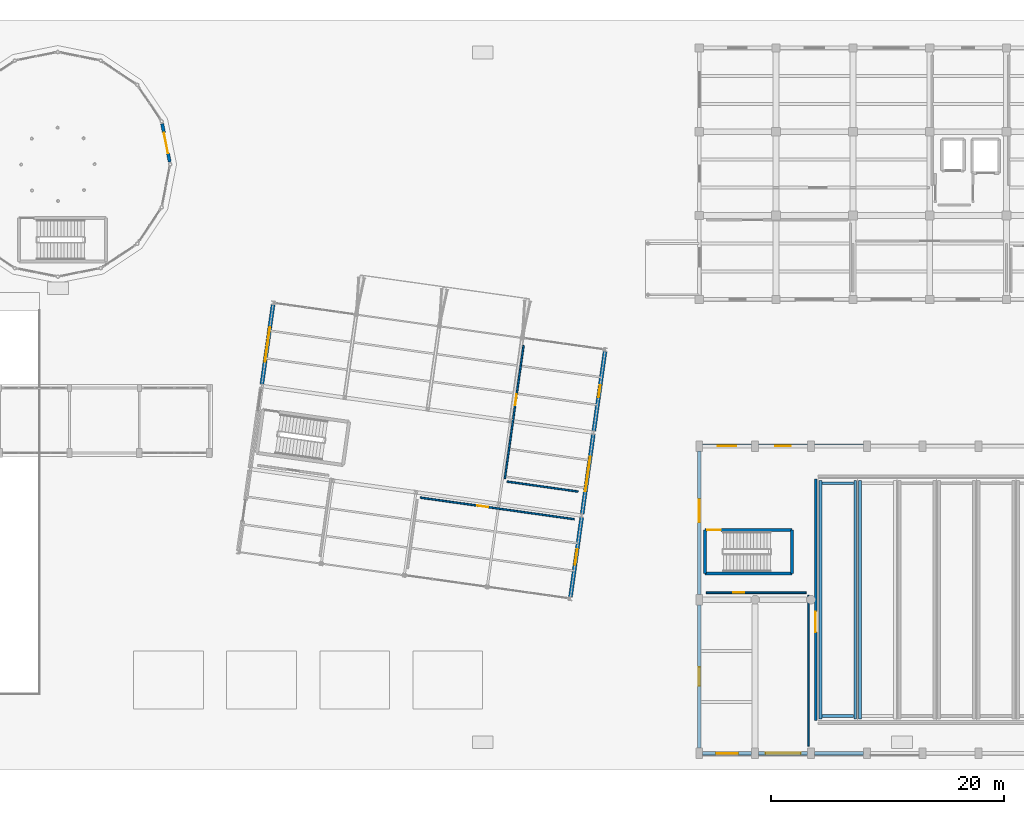
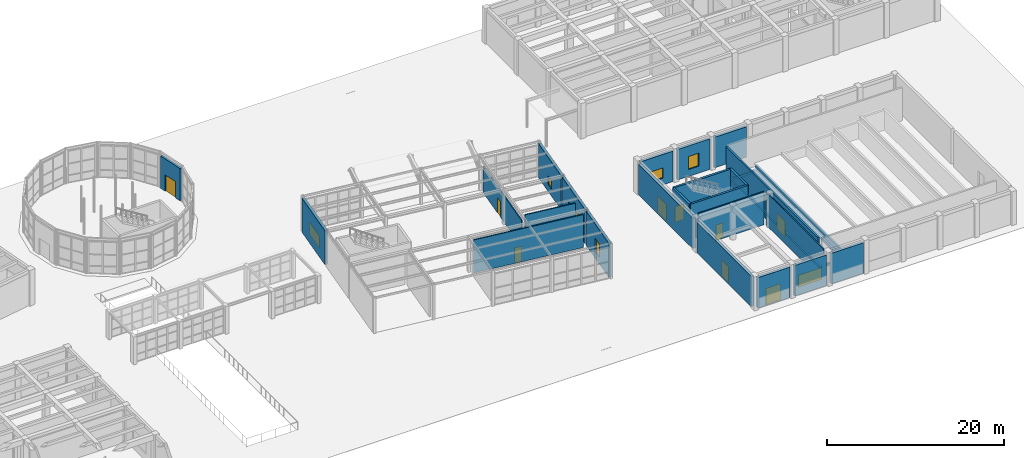
# One storey, part 46 of 57: 28 walls, 9 doors, 7 windows, 16 openings.
"""IFC4 building model written with IfcOpenShell, lengths in metres."""

from ifc_helpers import new_model, si_unit, direction, frame, frame_2d, origin, place, context, subcontext, project, spatial, rectangle, extrude, material, layer, layer_set, type_object, element, fill, save


model = new_model("IFC4")

# Units and contexts
model_context = context("Model", 3, precision=1e-05, world=origin(), true_north=direction((0.0, 1.0)))
body_context = subcontext(model_context, "Body", "Model", "MODEL_VIEW")
ifc_project = project(units=[si_unit("LENGTHUNIT", "METRE"), si_unit("AREAUNIT", "SQUARE_METRE"), si_unit("VOLUMEUNIT", "CUBIC_METRE"), si_unit("PLANEANGLEUNIT", "RADIAN"), si_unit("MASSUNIT", "GRAM", prefix="KILO")], contexts=[model_context])

# Site, building, storey
site_placement = place(None, origin())
site = spatial("IfcSite", under=ifc_project, at=site_placement, CompositionType="ELEMENT")
building_placement = place(site_placement, origin())
building = spatial("IfcBuilding", under=site, at=building_placement, Name="Kharisveld Research Institute", CompositionType="ELEMENT")
storey_placement = place(building_placement, origin())
storey = spatial("IfcBuildingStorey", under=building, at=storey_placement, Name="L00", CompositionType="ELEMENT", Elevation=0.0)

# Wall, opening, door
ifc_material_1 = material(Name="Acoustic Concrete Blockwork", Category="masonry")
ifc_layer_1 = layer(ifc_material_1, 0.215087890625)
ifc_layer_set_1 = layer_set([ifc_layer_1], Name="WL_AUD_215")
wall_type_1 = type_object("IfcWallType", Name="WL_AUD_215", PredefinedType="SOLIDWALL", material=ifc_layer_set_1)
wall_1_placement = place(storey_placement, frame((124.60009765625, 23.780029296875, 0.0), z_axis=(0.0, 0.0, 1.0), x_axis=(0.0, -1.0, 0.0)))
wall_1 = element("IfcWall", 1, at=wall_1_placement, inside=storey, type_object=wall_type_1, Name="WL:RM:V5:L00:AUD:W", PredefinedType="SOLIDWALL", context=body_context, shape_type="SweptSolid", body=[
    extrude(rectangle(XDim=20.760009765625, YDim=0.215087890625, at=frame_2d((10.3798828125, 0.0))), origin(), (0.0, 0.0, 1.0), 4.550048828125),
])
opening_1_placement = place(wall_1_placement, frame((11.39990234375, 0.0, 0.0)))
opening_1 = element("IfcOpeningElement", 2, at=opening_1_placement, cuts=wall_1, Name="Opening DI-304", PredefinedType="OPENING", context=body_context, shape_type="SweptSolid", body=[
    extrude(rectangle(XDim=1.760009765625, YDim=2.25, at=frame_2d((0.8798828125, 1.125))), frame((0.0, 0.107421875, 0.0), z_axis=(0.0, -1.0, 0.0), x_axis=(1.0, 0.0, 0.0)), (0.0, 0.0, 1.0), 0.215087890625),
])
ifc_material_2 = material(Name="Flush Painted Hardwood and Anodised Aluminium", Category="wood")
door_type_1 = type_object("IfcDoorType", Name="DR_AUD_176", OperationType="DOUBLE_DOOR_SINGLE_SWING", PredefinedType="DOOR", material=ifc_material_2)
door_1_placement = place(opening_1_placement, origin())
door_1 = element("IfcDoor", 3, at=door_1_placement, inside=storey, type_object=door_type_1, Name="DR:RM:V5:L00:AUD:W", OperationType="DOUBLE_DOOR_SINGLE_SWING", OverallHeight=2.25, OverallWidth=1.760009765625, PredefinedType="DOOR", context=body_context, shape_type="SweptSolid", body=[
    extrude(rectangle(XDim=1.760009765625, YDim=2.25, at=frame_2d((0.8798828125, 1.125))), frame((0.0, 0.02490234375, 0.0), z_axis=(0.0, -1.0, 0.0), x_axis=(1.0, 0.0, 0.0)), (0.0, 0.0, 1.0), 0.050048828125),
])
fill(opening_1, door_1)

# Wall
ifc_material_3 = material(Name="Concrete C40/50", Category="concrete")
ifc_layer_2 = layer(ifc_material_3, 0.27001953125)
ifc_layer_set_2 = layer_set([ifc_layer_2], Name="WL_CORE_270")
wall_type_2 = type_object("IfcWallType", Name="WL_CORE_270", PredefinedType="SHEAR", material=ifc_layer_set_2)
wall_2_placement = place(storey_placement, frame((115.10009765625, 15.64990234375, 0.0), z_axis=(0.0, 0.0, 1.0), x_axis=(0.0, 1.0, 0.0)))
element("IfcWall", 4, at=wall_2_placement, inside=storey, type_object=wall_type_2, Name="WL:STR:ST6:L00:W", PredefinedType="SHEAR", context=body_context, shape_type="SweptSolid", body=[
    extrude(rectangle(XDim=3.739990234375, YDim=0.27001953125, at=frame_2d((1.8701171875, 0.0))), origin(), (0.0, 0.0, 1.0), 4.8798828125),
])

# Wall, opening, door
wall_3_placement = place(storey_placement, frame((115.10009765625, 19.389892578125, 0.0), z_axis=(0.0, 0.0, 1.0), x_axis=(1.0, 0.0, 0.0)))
wall_3 = element("IfcWall", 5, at=wall_3_placement, inside=storey, type_object=wall_type_2, Name="WL:STR:ST6:L00:N", PredefinedType="SHEAR", context=body_context, shape_type="SweptSolid", body=[
    extrude(rectangle(XDim=7.469970703125, YDim=0.27001953125, at=frame_2d((3.73486328125, 0.0))), origin(), (0.0, 0.0, 1.0), 4.8798828125),
])
opening_2_placement = place(wall_3_placement, frame((0.179931640625, 0.0, 0.0)))
opening_2 = element("IfcOpeningElement", 6, at=opening_2_placement, cuts=wall_3, Name="Opening DS-046", PredefinedType="OPENING", context=body_context, shape_type="SweptSolid", body=[
    extrude(rectangle(XDim=1.179931640625, YDim=2.14990234375, at=frame_2d((0.58984375, 1.074951171875))), frame((0.0, 0.135009765625, 0.0), z_axis=(0.0, -1.0, 0.0), x_axis=(1.0, 0.0, 0.0)), (0.0, 0.0, 1.0), 0.27001953125),
])
ifc_material_4 = material(Name="Flush Painted Hardwood and Anodised Aluminium", Category="wood")
door_type_2 = type_object("IfcDoorType", Name="DR_FD60_118", OperationType="NOTDEFINED", PredefinedType="DOOR", material=ifc_material_4)
door_2_placement = place(opening_2_placement, origin())
door_2 = element("IfcDoor", 7, at=door_2_placement, inside=storey, type_object=door_type_2, Name="DR:STR:ST6:L00", OperationType="SINGLE_SWING_LEFT", OverallHeight=2.14990234375, OverallWidth=1.179931640625, PredefinedType="DOOR", context=body_context, shape_type="SweptSolid", body=[
    extrude(rectangle(XDim=1.179931640625, YDim=2.14990234375, at=frame_2d((0.58984375, 1.074951171875))), frame((0.0, 0.02490234375, 0.0), z_axis=(0.0, -1.0, 0.0), x_axis=(1.0, 0.0, 0.0)), (0.0, 0.0, 1.0), 0.050048828125),
])
fill(opening_2, door_2)

# Walls
wall_4_placement = place(storey_placement, frame((122.570068359375, 19.389892578125, 0.0), z_axis=(0.0, 0.0, 1.0), x_axis=(0.0, -1.0, 0.0)))
element("IfcWall", 8, at=wall_4_placement, inside=storey, type_object=wall_type_2, Name="WL:STR:ST6:L00:E", PredefinedType="SHEAR", context=body_context, shape_type="SweptSolid", body=[
    extrude(rectangle(XDim=3.739990234375, YDim=0.27001953125, at=frame_2d((1.8701171875, 0.0))), origin(), (0.0, 0.0, 1.0), 4.8798828125),
])
wall_5_placement = place(storey_placement, frame((122.570068359375, 15.64990234375, 0.0), z_axis=(0.0, 0.0, 1.0), x_axis=(-1.0, 0.0, 0.0)))
element("IfcWall", 9, at=wall_5_placement, inside=storey, type_object=wall_type_2, Name="WL:STR:ST6:L00:S", PredefinedType="SHEAR", context=body_context, shape_type="SweptSolid", body=[
    extrude(rectangle(XDim=7.469970703125, YDim=0.27001953125, at=frame_2d((3.73486328125, 0.0))), origin(), (0.0, 0.0, 1.0), 4.8798828125),
])

# Wall, opening, door
ifc_material_5 = material(Name="Precast Concrete C40/50 Thermal Wall", Category="concrete")
ifc_layer_3 = layer(ifc_material_5, 0.27490234375)
ifc_layer_set_3 = layer_set([ifc_layer_3], Name="WL_EXT_275")
wall_type_3 = type_object("IfcWallType", Name="WL_EXT_275", PredefinedType="STANDARD", material=ifc_layer_set_3)
wall_6_placement = place(storey_placement, frame((68.457275390625, 54.281982421875, 0.0), z_axis=(0.0, 0.0, 1.0), x_axis=(0.195158773768, -0.98077166202, 0.0)))
wall_6 = element("IfcWall", 10, at=wall_6_placement, inside=storey, type_object=wall_type_3, Name="WL:V6:L00:CHORD00", PredefinedType="STANDARD", context=body_context, shape_type="SweptSolid", body=[
    extrude(rectangle(XDim=3.335205078125, YDim=0.27490234375, at=frame_2d((1.66748046875, 0.0))), origin(), (0.0, 0.0, 1.0), 4.449951171875),
])
opening_3_placement = place(wall_6_placement, frame((0.767578125, 0.0, 0.0)))
opening_3 = element("IfcOpeningElement", 11, at=opening_3_placement, cuts=wall_6, Name="Opening DE-023", PredefinedType="OPENING", context=body_context, shape_type="SweptSolid", body=[
    extrude(rectangle(XDim=1.800048828125, YDim=2.25, at=frame_2d((0.89990234375, 1.125))), frame((0.0, 0.137451171875, 0.0), z_axis=(0.0, -1.0, 0.0), x_axis=(1.0, 0.0, 0.0)), (0.0, 0.0, 1.0), 0.27490234375),
])
ifc_material_6 = material(Name="Thermally Broken Powder-Coated Aluminium", Category="aluminium")
door_type_3 = type_object("IfcDoorType", Name="DR_EXT_180", OperationType="DOUBLE_DOOR_SINGLE_SWING", PredefinedType="DOOR", material=ifc_material_6)
door_3_placement = place(opening_3_placement, origin())
door_3 = element("IfcDoor", 12, at=door_3_placement, inside=storey, type_object=door_type_3, Name="DR:V6:L00:EXIT_00", OperationType="DOUBLE_DOOR_SINGLE_SWING", OverallHeight=2.25, OverallWidth=1.800048828125, PredefinedType="DOOR", context=body_context, shape_type="SweptSolid", body=[
    extrude(rectangle(XDim=1.800048828125, YDim=2.25, at=frame_2d((0.89990234375, 1.125))), frame((0.0, 0.02490234375, 0.0), z_axis=(0.0, -1.0, 0.0), x_axis=(1.0, 0.0, 0.0)), (0.0, 0.0, 1.0), 0.050048828125),
])
fill(opening_3, door_3)

# Wall, opening, window
ifc_material_7 = material(Name="Concrete C35/45", Category="concrete")
ifc_layer_4 = layer(ifc_material_7, 0.340087890625)
ifc_layer_set_4 = layer_set([ifc_layer_4], Name="WL_EXT_340")
wall_type_4 = type_object("IfcWallType", Name="WL_EXT_340", PredefinedType="SOLIDWALL", material=ifc_layer_set_4)
wall_7_placement = place(storey_placement, frame((77.024169921875, 31.903564453125, 0.0), z_axis=(0.0, 0.0, 1.0), x_axis=(0.139175250046, 0.990267766705, 0.0)))
wall_7 = element("IfcWall", 13, at=wall_7_placement, inside=storey, type_object=wall_type_4, Name="WL:V4:L00:W2", PredefinedType="SOLIDWALL", context=body_context, shape_type="SweptSolid", body=[
    extrude(rectangle(XDim=6.90966796875, YDim=0.340087890625, at=frame_2d((3.454833984375, 0.0))), origin(), (0.0, 0.0, 1.0), 4.705078125),
])
opening_4_placement = place(wall_7_placement, frame((1.955078125, 0.0, 0.949951171875)))
opening_4 = element("IfcOpeningElement", 14, at=opening_4_placement, cuts=wall_7, Name="Opening WN-10", PredefinedType="OPENING", context=body_context, shape_type="SweptSolid", body=[
    extrude(rectangle(XDim=3.0, YDim=1.64990234375, at=frame_2d((1.5, 0.824951171875))), frame((0.0, 0.169921875, 0.0), z_axis=(0.0, -1.0, 0.0), x_axis=(1.0, 0.0, 0.0)), (0.0, 0.0, 1.0), 0.340087890625),
])
ifc_material_8 = material(Name="Low-E Double Glazing", Category="glass")
window_type_1 = type_object("IfcWindowType", Name="WN_10", PartitioningType="TRIPLE_PANEL_VERTICAL", PredefinedType="WINDOW", material=ifc_material_8)
window_1_placement = place(opening_4_placement, origin())
window_1 = element("IfcWindow", 15, at=window_1_placement, inside=storey, type_object=window_type_1, Name="WN:V4:L00:W2", OverallHeight=1.64990234375, OverallWidth=3.0, PartitioningType="SINGLE_PANEL", PredefinedType="WINDOW", context=body_context, shape_type="SweptSolid", body=[
    extrude(rectangle(XDim=3.0, YDim=1.64990234375, at=frame_2d((1.5, 0.824951171875))), frame((0.0, 0.030029296875, 0.0), z_axis=(0.0, -1.0, 0.0), x_axis=(1.0, 0.0, 0.0)), (0.0, 0.0, 1.0), 0.06005859375),
])
fill(opening_4, window_1)

wall_8_placement = place(storey_placement, frame((106.505615234375, 34.738037109375, 0.0), z_axis=(0.0, 0.0, 1.0), x_axis=(-0.139170380644, -0.990268451053, 0.0)))
wall_8 = element("IfcWall", 16, at=wall_8_placement, inside=storey, type_object=wall_type_4, Name="WL:V4:L00:E3", PredefinedType="SOLIDWALL", context=body_context, shape_type="SweptSolid", body=[
    extrude(rectangle(XDim=6.909912109375, YDim=0.340087890625, at=frame_2d((3.455078125, 0.0))), origin(), (0.0, 0.0, 1.0), 4.705078125),
])
opening_5_placement = place(wall_8_placement, frame((2.929931640625, 0.0, 0.949951171875)))
opening_5 = element("IfcOpeningElement", 17, at=opening_5_placement, cuts=wall_8, Name="Opening WN-11", PredefinedType="OPENING", context=body_context, shape_type="SweptSolid", body=[
    extrude(rectangle(XDim=1.050048828125, YDim=1.199951171875, at=frame_2d((0.52490234375, 0.60009765625))), frame((0.0, 0.169921875, 0.0), z_axis=(0.0, -1.0, 0.0), x_axis=(1.0, 0.0, 0.0)), (0.0, 0.0, 1.0), 0.340087890625),
])
ifc_material_9 = material(Name="Low-E Double Glazing", Category="glass")
window_type_2 = type_object("IfcWindowType", Name="WN_11", PartitioningType="SINGLE_PANEL", PredefinedType="WINDOW", material=ifc_material_9)
window_2_placement = place(opening_5_placement, origin())
window_2 = element("IfcWindow", 18, at=window_2_placement, inside=storey, type_object=window_type_2, Name="WN:V4:L00:E3", OverallHeight=1.199951171875, OverallWidth=1.050048828125, PartitioningType="SINGLE_PANEL", PredefinedType="WINDOW", context=body_context, shape_type="SweptSolid", body=[
    extrude(rectangle(XDim=1.050048828125, YDim=1.199951171875, at=frame_2d((0.52490234375, 0.60009765625))), frame((0.0, 0.030029296875, 0.0), z_axis=(0.0, -1.0, 0.0), x_axis=(1.0, 0.0, 0.0)), (0.0, 0.0, 1.0), 0.06005859375),
])
fill(opening_5, window_2)

wall_9_placement = place(storey_placement, frame((105.503662109375, 27.608154296875, 0.0), z_axis=(0.0, 0.0, 1.0), x_axis=(-0.139170380644, -0.990268451053, 0.0)))
wall_9 = element("IfcWall", 19, at=wall_9_placement, inside=storey, type_object=wall_type_4, Name="WL:V4:L00:E2", PredefinedType="SOLIDWALL", context=body_context, shape_type="SweptSolid", body=[
    extrude(rectangle(XDim=6.909912109375, YDim=0.340087890625, at=frame_2d((3.455078125, 0.0))), origin(), (0.0, 0.0, 1.0), 4.705078125),
])
opening_6_placement = place(wall_9_placement, frame((1.955078125, 0.0, 0.949951171875)))
opening_6 = element("IfcOpeningElement", 20, at=opening_6_placement, cuts=wall_9, Name="Opening WN-10", PredefinedType="OPENING", context=body_context, shape_type="SweptSolid", body=[
    extrude(rectangle(XDim=3.0, YDim=1.64990234375, at=frame_2d((1.5, 0.824951171875))), frame((0.0, 0.169921875, 0.0), z_axis=(0.0, -1.0, 0.0), x_axis=(1.0, 0.0, 0.0)), (0.0, 0.0, 1.0), 0.340087890625),
])
window_3_placement = place(opening_6_placement, origin())
window_3 = element("IfcWindow", 21, at=window_3_placement, inside=storey, type_object=window_type_1, Name="WN:V4:L00:E2", OverallHeight=1.64990234375, OverallWidth=3.0, PartitioningType="SINGLE_PANEL", PredefinedType="WINDOW", context=body_context, shape_type="SweptSolid", body=[
    extrude(rectangle(XDim=3.0, YDim=1.64990234375, at=frame_2d((1.5, 0.824951171875))), frame((0.0, 0.030029296875, 0.0), z_axis=(0.0, -1.0, 0.0), x_axis=(1.0, 0.0, 0.0)), (0.0, 0.0, 1.0), 0.06005859375),
])
fill(opening_6, window_3)

wall_10_placement = place(storey_placement, frame((104.501708984375, 20.478271484375, 0.0), z_axis=(0.0, 0.0, 1.0), x_axis=(-0.139205027475, -0.990263581238, 0.0)))
wall_10 = element("IfcWall", 22, at=wall_10_placement, inside=storey, type_object=wall_type_4, Name="WL:V4:L00:E1", PredefinedType="SOLIDWALL", context=body_context, shape_type="SweptSolid", body=[
    extrude(rectangle(XDim=6.91015625, YDim=0.340087890625, at=frame_2d((3.455078125, 0.0))), origin(), (0.0, 0.0, 1.0), 4.705078125),
])
opening_7_placement = place(wall_10_placement, frame((2.780029296875, 0.0, 0.949951171875)))
opening_7 = element("IfcOpeningElement", 23, at=opening_7_placement, cuts=wall_10, Name="Opening WN-09", PredefinedType="OPENING", context=body_context, shape_type="SweptSolid", body=[
    extrude(rectangle(XDim=1.35009765625, YDim=1.800048828125, at=frame_2d((0.675048828125, 0.89990234375))), frame((0.0, 0.169921875, 0.0), z_axis=(0.0, -1.0, 0.0), x_axis=(1.0, 0.0, 0.0)), (0.0, 0.0, 1.0), 0.340087890625),
])
ifc_material_10 = material(Name="Low-E Double Glazing", Category="glass")
window_type_3 = type_object("IfcWindowType", Name="WN_09", PartitioningType="SINGLE_PANEL", PredefinedType="WINDOW", material=ifc_material_10)
window_4_placement = place(opening_7_placement, origin())
window_4 = element("IfcWindow", 24, at=window_4_placement, inside=storey, type_object=window_type_3, Name="WN:V4:L00:E1", OverallHeight=1.800048828125, OverallWidth=1.35009765625, PartitioningType="SINGLE_PANEL", PredefinedType="WINDOW", context=body_context, shape_type="SweptSolid", body=[
    extrude(rectangle(XDim=1.35009765625, YDim=1.800048828125, at=frame_2d((0.675048828125, 0.89990234375))), frame((0.0, 0.030029296875, 0.0), z_axis=(0.0, -1.0, 0.0), x_axis=(1.0, 0.0, 0.0)), (0.0, 0.0, 1.0), 0.06005859375),
])
fill(opening_7, window_4)

# Wall, opening, door
wall_11_placement = place(storey_placement, frame((114.60009765625, 0.64501953125, 0.0), z_axis=(0.0, 0.0, 1.0), x_axis=(0.0, 1.0, 0.0)))
wall_11 = element("IfcWall", 25, at=wall_11_placement, inside=storey, type_object=wall_type_4, Name="WL:V5:L00:W0", PredefinedType="SOLIDWALL", context=body_context, shape_type="SweptSolid", body=[
    extrude(rectangle(XDim=12.31005859375, YDim=0.340087890625, at=frame_2d((6.155029296875, 0.0))), origin(), (0.0, 0.0, 1.0), 4.215087890625),
])
opening_8_placement = place(wall_11_placement, frame((5.35498046875, 0.0, 0.0)))
opening_8 = element("IfcOpeningElement", 26, at=opening_8_placement, cuts=wall_11, Name="Opening DE-020", PredefinedType="OPENING", context=body_context, shape_type="SweptSolid", body=[
    extrude(rectangle(XDim=1.60009765625, YDim=2.199951171875, at=frame_2d((0.800048828125, 1.10009765625))), frame((0.0, 0.169921875, 0.0), z_axis=(0.0, -1.0, 0.0), x_axis=(1.0, 0.0, 0.0)), (0.0, 0.0, 1.0), 0.340087890625),
])
ifc_material_11 = material(Name="Thermally Broken Powder-Coated Aluminium", Category="aluminium")
door_type_4 = type_object("IfcDoorType", Name="DR_EXT_160", OperationType="DOUBLE_DOOR_SINGLE_SWING", PredefinedType="DOOR", material=ifc_material_11)
door_4_placement = place(opening_8_placement, origin())
door_4 = element("IfcDoor", 27, at=door_4_placement, inside=storey, type_object=door_type_4, Name="DR:V5:L00:EXIT_W0", OperationType="DOUBLE_DOOR_SINGLE_SWING", OverallHeight=2.199951171875, OverallWidth=1.60009765625, PredefinedType="DOOR", context=body_context, shape_type="SweptSolid", body=[
    extrude(rectangle(XDim=1.60009765625, YDim=2.199951171875, at=frame_2d((0.800048828125, 1.10009765625))), frame((0.0, 0.02490234375, 0.0), z_axis=(0.0, -1.0, 0.0), x_axis=(1.0, 0.0, 0.0)), (0.0, 0.0, 1.0), 0.050048828125),
])
fill(opening_8, door_4)

wall_12_placement = place(storey_placement, frame((114.60009765625, 13.844970703125, 0.0), z_axis=(0.0, 0.0, 1.0), x_axis=(0.0, 1.0, 0.0)))
wall_12 = element("IfcWall", 28, at=wall_12_placement, inside=storey, type_object=wall_type_4, Name="WL:V5:L00:W1", PredefinedType="SOLIDWALL", context=body_context, shape_type="SweptSolid", body=[
    extrude(rectangle(XDim=12.31005859375, YDim=0.340087890625, at=frame_2d((6.155029296875, 0.0))), origin(), (0.0, 0.0, 1.0), 4.215087890625),
])
opening_9_placement = place(wall_12_placement, frame((6.199951171875, 0.0, 0.0)))
opening_9 = element("IfcOpeningElement", 29, at=opening_9_placement, cuts=wall_12, Name="Opening DE-021", PredefinedType="OPENING", context=body_context, shape_type="SweptSolid", body=[
    extrude(rectangle(XDim=2.0, YDim=2.25, at=frame_2d((1.0, 1.125))), frame((0.0, 0.169921875, 0.0), z_axis=(0.0, -1.0, 0.0), x_axis=(1.0, 0.0, 0.0)), (0.0, 0.0, 1.0), 0.340087890625),
])
ifc_material_12 = material(Name="Thermally Broken Powder-Coated Aluminium", Category="aluminium")
door_type_5 = type_object("IfcDoorType", Name="DR_EXT_200", OperationType="DOUBLE_DOOR_SINGLE_SWING", PredefinedType="DOOR", material=ifc_material_12)
door_5_placement = place(opening_9_placement, origin())
door_5 = element("IfcDoor", 30, at=door_5_placement, inside=storey, type_object=door_type_5, Name="DR:V5:L00:EXIT_W1", OperationType="DOUBLE_DOOR_SINGLE_SWING", OverallHeight=2.25, OverallWidth=2.0, PredefinedType="DOOR", context=body_context, shape_type="SweptSolid", body=[
    extrude(rectangle(XDim=2.0, YDim=2.25, at=frame_2d((1.0, 1.125))), frame((0.0, 0.02490234375, 0.0), z_axis=(0.0, -1.0, 0.0), x_axis=(1.0, 0.0, 0.0)), (0.0, 0.0, 1.0), 0.050048828125),
])
fill(opening_9, door_5)

# Wall, opening, window
wall_13_placement = place(storey_placement, frame((114.89501953125, 26.60009765625, 0.0), z_axis=(0.0, 0.0, 1.0), x_axis=(1.0, 0.0, 0.0)))
wall_13 = element("IfcWall", 31, at=wall_13_placement, inside=storey, type_object=wall_type_4, Name="WL:V5:L00:N0", PredefinedType="SOLIDWALL", context=body_context, shape_type="SweptSolid", body=[
    extrude(rectangle(XDim=4.2099609375, YDim=0.340087890625, at=frame_2d((2.10498046875, 0.0))), origin(), (0.0, 0.0, 1.0), 4.215087890625),
])
opening_10_placement = place(wall_13_placement, frame((1.304931640625, 0.0, 0.949951171875)))
opening_10 = element("IfcOpeningElement", 32, at=opening_10_placement, cuts=wall_13, Name="Opening WN-08", PredefinedType="OPENING", context=body_context, shape_type="SweptSolid", body=[
    extrude(rectangle(XDim=1.60009765625, YDim=1.39990234375, at=frame_2d((0.800048828125, 0.699951171875))), frame((0.0, 0.169921875, 0.0), z_axis=(0.0, -1.0, 0.0), x_axis=(1.0, 0.0, 0.0)), (0.0, 0.0, 1.0), 0.340087890625),
])
ifc_material_13 = material(Name="Low-E Double Glazing", Category="glass")
window_type_4 = type_object("IfcWindowType", Name="WN_08", PartitioningType="DOUBLE_PANEL_VERTICAL", PredefinedType="WINDOW", material=ifc_material_13)
window_5_placement = place(opening_10_placement, origin())
window_5 = element("IfcWindow", 33, at=window_5_placement, inside=storey, type_object=window_type_4, Name="WN:V5:L00:N0", OverallHeight=1.39990234375, OverallWidth=1.60009765625, PartitioningType="SINGLE_PANEL", PredefinedType="WINDOW", context=body_context, shape_type="SweptSolid", body=[
    extrude(rectangle(XDim=1.60009765625, YDim=1.39990234375, at=frame_2d((0.800048828125, 0.699951171875))), frame((0.0, 0.030029296875, 0.0), z_axis=(0.0, -1.0, 0.0), x_axis=(1.0, 0.0, 0.0)), (0.0, 0.0, 1.0), 0.06005859375),
])
fill(opening_10, window_5)

wall_14_placement = place(storey_placement, frame((119.695068359375, 26.60009765625, 0.0), z_axis=(0.0, 0.0, 1.0), x_axis=(1.0, 0.0, 0.0)))
wall_14 = element("IfcWall", 34, at=wall_14_placement, inside=storey, type_object=wall_type_4, Name="WL:V5:L00:N1", PredefinedType="SOLIDWALL", context=body_context, shape_type="SweptSolid", body=[
    extrude(rectangle(XDim=4.2099609375, YDim=0.340087890625, at=frame_2d((2.10498046875, 0.0))), origin(), (0.0, 0.0, 1.0), 4.215087890625),
])
opening_11_placement = place(wall_14_placement, frame((1.429931640625, 0.0, 0.949951171875)))
opening_11 = element("IfcOpeningElement", 35, at=opening_11_placement, cuts=wall_14, Name="Opening WN-09", PredefinedType="OPENING", context=body_context, shape_type="SweptSolid", body=[
    extrude(rectangle(XDim=1.35009765625, YDim=1.800048828125, at=frame_2d((0.675048828125, 0.89990234375))), frame((0.0, 0.169921875, 0.0), z_axis=(0.0, -1.0, 0.0), x_axis=(1.0, 0.0, 0.0)), (0.0, 0.0, 1.0), 0.340087890625),
])
window_6_placement = place(opening_11_placement, origin())
window_6 = element("IfcWindow", 36, at=window_6_placement, inside=storey, type_object=window_type_3, Name="WN:V5:L00:N1", OverallHeight=1.800048828125, OverallWidth=1.35009765625, PartitioningType="SINGLE_PANEL", PredefinedType="WINDOW", context=body_context, shape_type="SweptSolid", body=[
    extrude(rectangle(XDim=1.35009765625, YDim=1.800048828125, at=frame_2d((0.675048828125, 0.89990234375))), frame((0.0, 0.030029296875, 0.0), z_axis=(0.0, -1.0, 0.0), x_axis=(1.0, 0.0, 0.0)), (0.0, 0.0, 1.0), 0.06005859375),
])
fill(opening_11, window_6)

# Walls
for number, where, z_axis, x_axis, name in (
    (37, (124.4951171875, 26.60009765625, 0.0), (0.0, 0.0, 1.0), (1.0, 0.0, 0.0), "WL:V5:L00:N2"),
    (38, (128.705078125, 0.199951171875, 0.0), (0.0, 0.0, 1.0), (-1.0, 0.0, 0.0), "WL:V5:L00:S3"),
):
    element("IfcWall", number, at=place(storey_placement, frame(where, z_axis=z_axis, x_axis=x_axis)), inside=storey, type_object=wall_type_4, Name=name, PredefinedType="SOLIDWALL", context=body_context, shape_type="SweptSolid", body=[
        extrude(rectangle(XDim=4.2099609375, YDim=0.340087890625, at=frame_2d((2.10498046875, 0.0))), origin(), (0.0, 0.0, 1.0), 4.215087890625),
    ])

# Wall, opening, window
wall_15_placement = place(storey_placement, frame((123.905029296875, 0.199951171875, 0.0), z_axis=(0.0, 0.0, 1.0), x_axis=(-1.0, 0.0, 0.0)))
wall_15 = element("IfcWall", 39, at=wall_15_placement, inside=storey, type_object=wall_type_4, Name="WL:V5:L00:S2", PredefinedType="SOLIDWALL", context=body_context, shape_type="SweptSolid", body=[
    extrude(rectangle(XDim=4.2099609375, YDim=0.340087890625, at=frame_2d((2.10498046875, 0.0))), origin(), (0.0, 0.0, 1.0), 4.215087890625),
])
opening_12_placement = place(wall_15_placement, frame((0.60498046875, 0.0, 0.949951171875)))
opening_12 = element("IfcOpeningElement", 40, at=opening_12_placement, cuts=wall_15, Name="Opening WN-10", PredefinedType="OPENING", context=body_context, shape_type="SweptSolid", body=[
    extrude(rectangle(XDim=3.0, YDim=1.64990234375, at=frame_2d((1.5, 0.824951171875))), frame((0.0, 0.169921875, 0.0), z_axis=(0.0, -1.0, 0.0), x_axis=(1.0, 0.0, 0.0)), (0.0, 0.0, 1.0), 0.340087890625),
])
window_7_placement = place(opening_12_placement, origin())
window_7 = element("IfcWindow", 41, at=window_7_placement, inside=storey, type_object=window_type_1, Name="WN:V5:L00:S2", OverallHeight=1.64990234375, OverallWidth=3.0, PartitioningType="SINGLE_PANEL", PredefinedType="WINDOW", context=body_context, shape_type="SweptSolid", body=[
    extrude(rectangle(XDim=3.0, YDim=1.64990234375, at=frame_2d((1.5, 0.824951171875))), frame((0.0, 0.030029296875, 0.0), z_axis=(0.0, -1.0, 0.0), x_axis=(1.0, 0.0, 0.0)), (0.0, 0.0, 1.0), 0.06005859375),
])
fill(opening_12, window_7)

# Wall, opening, door
wall_16_placement = place(storey_placement, frame((119.10498046875, 0.199951171875, 0.0), z_axis=(0.0, 0.0, 1.0), x_axis=(-1.0, 0.0, 0.0)))
wall_16 = element("IfcWall", 42, at=wall_16_placement, inside=storey, type_object=wall_type_4, Name="WL:V5:L00:S1", PredefinedType="SOLIDWALL", context=body_context, shape_type="SweptSolid", body=[
    extrude(rectangle(XDim=4.2099609375, YDim=0.340087890625, at=frame_2d((2.10498046875, 0.0))), origin(), (0.0, 0.0, 1.0), 4.215087890625),
])
opening_13_placement = place(wall_16_placement, frame((1.155029296875, 0.0, 0.0)))
opening_13 = element("IfcOpeningElement", 43, at=opening_13_placement, cuts=wall_16, Name="Opening DE-022", PredefinedType="OPENING", context=body_context, shape_type="SweptSolid", body=[
    extrude(rectangle(XDim=1.89990234375, YDim=2.25, at=frame_2d((0.949951171875, 1.125))), frame((0.0, 0.169921875, 0.0), z_axis=(0.0, -1.0, 0.0), x_axis=(1.0, 0.0, 0.0)), (0.0, 0.0, 1.0), 0.340087890625),
])
ifc_material_14 = material(Name="Thermally Broken Powder-Coated Aluminium", Category="aluminium")
door_type_6 = type_object("IfcDoorType", Name="DR_EXT_190", OperationType="DOUBLE_DOOR_SINGLE_SWING", PredefinedType="DOOR", material=ifc_material_14)
door_6_placement = place(opening_13_placement, origin())
door_6 = element("IfcDoor", 44, at=door_6_placement, inside=storey, type_object=door_type_6, Name="DR:V5:L00:EXIT_S1", OperationType="DOUBLE_DOOR_SINGLE_SWING", OverallHeight=2.25, OverallWidth=1.89990234375, PredefinedType="DOOR", context=body_context, shape_type="SweptSolid", body=[
    extrude(rectangle(XDim=1.89990234375, YDim=2.25, at=frame_2d((0.949951171875, 1.125))), frame((0.0, 0.02490234375, 0.0), z_axis=(0.0, -1.0, 0.0), x_axis=(1.0, 0.0, 0.0)), (0.0, 0.0, 1.0), 0.050048828125),
])
fill(opening_13, door_6)

ifc_material_15 = material(Name="Insulated Stud Partition", Category="mineral")
ifc_layer_5 = layer(ifc_material_15, 0.139892578125)
ifc_layer_set_5 = layer_set([ifc_layer_5], Name="WL_OFF_140")
wall_type_5 = type_object("IfcWallType", Name="WL_OFF_140", PredefinedType="PARTITIONING", material=ifc_layer_set_5)
wall_17_placement = place(storey_placement, frame((103.85205078125, 20.31201171875, 0.0), z_axis=(0.0, 0.0, 1.0), x_axis=(-0.990267836617, 0.139174752605, 0.0)))
wall_17 = element("IfcWall", 45, at=wall_17_placement, inside=storey, type_object=wall_type_5, Name="WL:RM:V4:L00:EXH:N", PredefinedType="PARTITIONING", context=body_context, shape_type="SweptSolid", body=[
    extrude(rectangle(XDim=13.360107421875, YDim=0.139892578125, at=frame_2d((6.68017578125, 0.0))), origin(), (0.0, 0.0, 1.0), 4.550048828125),
])
opening_14_placement = place(wall_17_placement, frame((7.451904296875, 0.0, 0.0)))
opening_14 = element("IfcOpeningElement", 46, at=opening_14_placement, cuts=wall_17, Name="Opening DI-301", PredefinedType="OPENING", context=body_context, shape_type="SweptSolid", body=[
    extrude(rectangle(XDim=0.93994140625, YDim=2.1201171875, at=frame_2d((0.469970703125, 1.06005859375))), frame((0.0, 0.06982421875, 0.0), z_axis=(0.0, -1.0, 0.0), x_axis=(1.0, 0.0, 0.0)), (0.0, 0.0, 1.0), 0.139892578125),
])
ifc_material_16 = material(Name="Flush Painted Hardwood and Anodised Aluminium", Category="wood")
door_type_7 = type_object("IfcDoorType", Name="DR_OFF_094", OperationType="NOTDEFINED", PredefinedType="DOOR", material=ifc_material_16)
door_7_placement = place(opening_14_placement, origin())
door_7 = element("IfcDoor", 47, at=door_7_placement, inside=storey, type_object=door_type_7, Name="DR:RM:V4:L00:EXH:N", OperationType="SINGLE_SWING_LEFT", OverallHeight=2.1201171875, OverallWidth=0.93994140625, PredefinedType="DOOR", context=body_context, shape_type="SweptSolid", body=[
    extrude(rectangle(XDim=0.93994140625, YDim=2.1201171875, at=frame_2d((0.469970703125, 1.06005859375))), frame((0.0, 0.02490234375, 0.0), z_axis=(0.0, -1.0, 0.0), x_axis=(1.0, 0.0, 0.0)), (0.0, 0.0, 1.0), 0.050048828125),
])
fill(opening_14, door_7)

# Wall
wall_18_placement = place(storey_placement, frame((98.086181640625, 23.5458984375, 0.0), z_axis=(0.0, 0.0, 1.0), x_axis=(0.990264860737, -0.139195925191, 0.0)))
element("IfcWall", 48, at=wall_18_placement, inside=storey, type_object=wall_type_5, Name="WL:RM:V4:L00:KIO:S", PredefinedType="PARTITIONING", context=body_context, shape_type="SweptSolid", body=[
    extrude(rectangle(XDim=6.159912109375, YDim=0.139892578125, at=frame_2d((3.080078125, 0.0))), origin(), (0.0, 0.0, 1.0), 4.550048828125),
])

# Wall, opening, door
wall_19_placement = place(storey_placement, frame((99.5078125, 35.241943359375, 0.0), z_axis=(0.0, 0.0, 1.0), x_axis=(-0.139176845422, -0.990267542485, 0.0)))
wall_19 = element("IfcWall", 49, at=wall_19_placement, inside=storey, type_object=wall_type_5, Name="WL:RM:V4:L00:KIO:W", PredefinedType="PARTITIONING", context=body_context, shape_type="SweptSolid", body=[
    extrude(rectangle(XDim=11.56005859375, YDim=0.139892578125, at=frame_2d((5.780029296875, 0.0))), origin(), (0.0, 0.0, 1.0), 3.659912109375),
])
opening_15_placement = place(wall_19_placement, frame((4.248046875, 0.0, 0.0)))
opening_15 = element("IfcOpeningElement", 50, at=opening_15_placement, cuts=wall_19, Name="Opening DI-302", PredefinedType="OPENING", context=body_context, shape_type="SweptSolid", body=[
    extrude(rectangle(XDim=0.93994140625, YDim=2.1201171875, at=frame_2d((0.469970703125, 1.06005859375))), frame((0.0, 0.06982421875, 0.0), z_axis=(0.0, -1.0, 0.0), x_axis=(1.0, 0.0, 0.0)), (0.0, 0.0, 1.0), 0.139892578125),
])
door_8_placement = place(opening_15_placement, origin())
door_8 = element("IfcDoor", 51, at=door_8_placement, inside=storey, type_object=door_type_7, Name="DR:RM:V4:L00:KIO:W", OperationType="SINGLE_SWING_RIGHT", OverallHeight=2.1201171875, OverallWidth=0.93994140625, PredefinedType="DOOR", context=body_context, shape_type="SweptSolid", body=[
    extrude(rectangle(XDim=0.93994140625, YDim=2.1201171875, at=frame_2d((0.469970703125, 1.06005859375))), frame((0.0, 0.02490234375, 0.0), z_axis=(0.0, -1.0, 0.0), x_axis=(1.0, 0.0, 0.0)), (0.0, 0.0, 1.0), 0.050048828125),
])
fill(opening_15, door_8)

# Wall
wall_20_placement = place(storey_placement, frame((124.0, 0.820068359375, 0.0), z_axis=(0.0, 0.0, 1.0), x_axis=(0.0, 1.0, 0.0)))
element("IfcWall", 52, at=wall_20_placement, inside=storey, type_object=wall_type_5, Name="WL:RM:V5:L00:FOY:E", PredefinedType="PARTITIONING", context=body_context, shape_type="SweptSolid", body=[
    extrude(rectangle(XDim=12.9599609375, YDim=0.139892578125, at=frame_2d((6.47998046875, 0.0))), origin(), (0.0, 0.0, 1.0), 4.550048828125),
])

# Wall, opening, door
wall_21_placement = place(storey_placement, frame((123.780029296875, 14.0, 0.0), z_axis=(0.0, 0.0, 1.0), x_axis=(-1.0, 0.0, 0.0)))
wall_21 = element("IfcWall", 53, at=wall_21_placement, inside=storey, type_object=wall_type_5, Name="WL:RM:V5:L00:FOY:N", PredefinedType="PARTITIONING", context=body_context, shape_type="SweptSolid", body=[
    extrude(rectangle(XDim=8.56005859375, YDim=0.139892578125, at=frame_2d((4.280029296875, 0.0))), origin(), (0.0, 0.0, 1.0), 4.550048828125),
])
opening_16_placement = place(wall_21_placement, frame((5.333984375, 0.0, 0.0)))
opening_16 = element("IfcOpeningElement", 54, at=opening_16_placement, cuts=wall_21, Name="Opening DI-303", PredefinedType="OPENING", context=body_context, shape_type="SweptSolid", body=[
    extrude(rectangle(XDim=0.93994140625, YDim=2.1201171875, at=frame_2d((0.469970703125, 1.06005859375))), frame((0.0, 0.06982421875, 0.0), z_axis=(0.0, -1.0, 0.0), x_axis=(1.0, 0.0, 0.0)), (0.0, 0.0, 1.0), 0.139892578125),
])
door_9_placement = place(opening_16_placement, origin())
door_9 = element("IfcDoor", 55, at=door_9_placement, inside=storey, type_object=door_type_7, Name="DR:RM:V5:L00:FOY:N", OperationType="SINGLE_SWING_LEFT", OverallHeight=2.1201171875, OverallWidth=0.93994140625, PredefinedType="DOOR", context=body_context, shape_type="SweptSolid", body=[
    extrude(rectangle(XDim=0.93994140625, YDim=2.1201171875, at=frame_2d((0.469970703125, 1.06005859375))), frame((0.0, 0.02490234375, 0.0), z_axis=(0.0, -1.0, 0.0), x_axis=(1.0, 0.0, 0.0)), (0.0, 0.0, 1.0), 0.050048828125),
])
fill(opening_16, door_9)

# Walls
ifc_material_17 = material(Name="Concrete C35/45", Category="concrete")
ifc_layer_6 = layer(ifc_material_17, 0.25)
ifc_layer_set_6 = layer_set([ifc_layer_6], Name="WL_TIER_250")
wall_type_6 = type_object("IfcWallType", Name="WL_TIER_250", PredefinedType="SHEAR", material=ifc_layer_set_6)
for number, where, z_axis, x_axis, name in (
    (56, (125.0, 3.14990234375, 0.0), (0.0, 0.0, 1.0), (0.0, 1.0, 0.0), "WL:V5:L00:TIERRAKER_1_F"),
    (57, (128.0, 3.14990234375, 0.0), (0.0, 0.0, 1.0), (0.0, 1.0, 0.0), "WL:V5:L00:TIERRAKER_1_B"),
):
    element("IfcWall", number, at=place(storey_placement, frame(where, z_axis=z_axis, x_axis=x_axis)), inside=storey, type_object=wall_type_6, Name=name, PredefinedType="SHEAR", context=body_context, shape_type="SweptSolid", body=[
        extrude(rectangle(XDim=20.5, YDim=0.25, at=frame_2d((10.25, 0.0))), origin(), (0.0, 0.0, 1.0), 0.31494140625),
    ])
for number, where, z_axis, x_axis, name in (
    (58, (125.14990234375, 3.39990234375, 0.0), (0.0, 0.0, 1.0), (1.0, 0.0, 0.0), "WL:V5:L00:TIERCHEEK_1_S"),
    (59, (125.14990234375, 23.39990234375, 0.0), (0.0, 0.0, 1.0), (1.0, 0.0, 0.0), "WL:V5:L00:TIERCHEEK_1_N"),
):
    element("IfcWall", number, at=place(storey_placement, frame(where, z_axis=z_axis, x_axis=x_axis)), inside=storey, type_object=wall_type_6, Name=name, PredefinedType="SHEAR", context=body_context, shape_type="SweptSolid", body=[
        extrude(rectangle(XDim=2.7001953125, YDim=0.25, at=frame_2d((1.35009765625, 0.0))), origin(), (0.0, 0.0, 1.0), 0.31494140625),
    ])
wall_22_placement = place(storey_placement, frame((128.39990234375, 3.14990234375, 0.0), z_axis=(0.0, 0.0, 1.0), x_axis=(0.0, 1.0, 0.0)))
element("IfcWall", 60, at=wall_22_placement, inside=storey, type_object=wall_type_6, Name="WL:V5:L00:TIERRAKER_2_F", PredefinedType="SHEAR", context=body_context, shape_type="SweptSolid", body=[
    extrude(rectangle(XDim=20.5, YDim=0.25, at=frame_2d((10.25, 0.0))), origin(), (0.0, 0.0, 1.0), 0.794921875),
])

save(model, "model.ifc")
